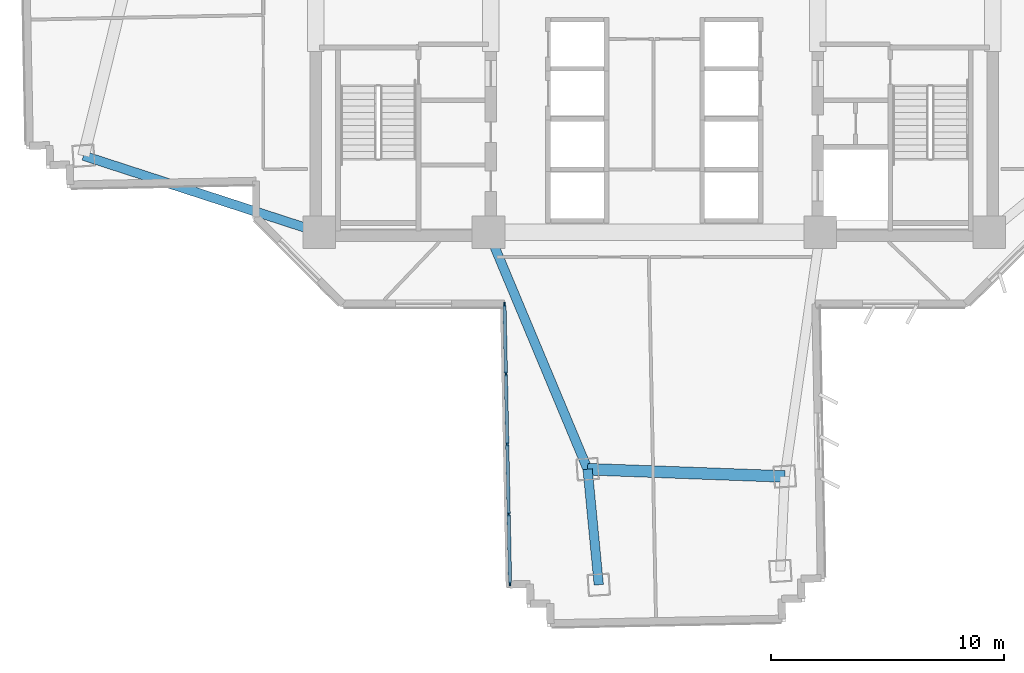
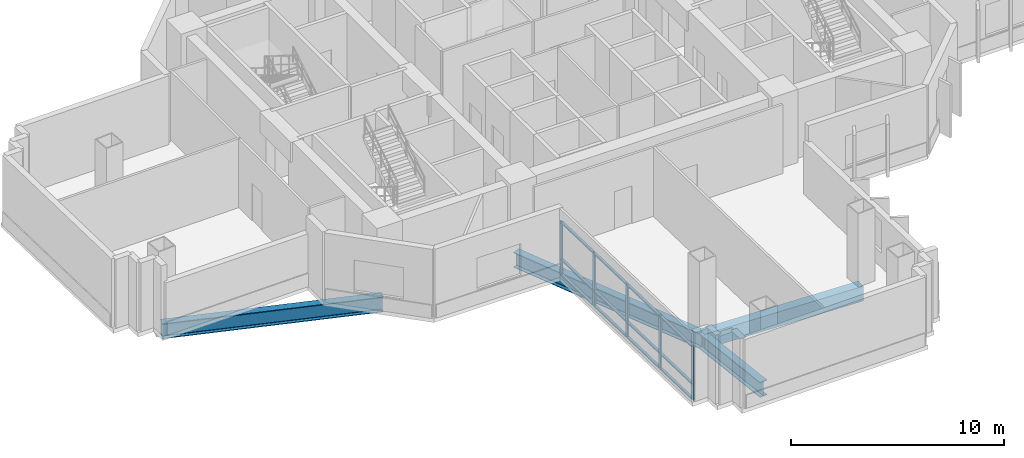
# One storey, part 2 of 15: 17 members, 4 beams, 1 element without a shape of its own.
"""IFC4 building model written with IfcOpenShell, lengths in metres."""

from ifc_helpers import new_model, si_unit, direction, frame, origin, origin_2d, place, context, subcontext, project, spatial, rectangle, i_section, extrude, source, transform, mapped, material, layer, layer_set, material_profile, profile_set, type_object, element, aggregate, save


model = new_model("IFC4")

# Units and contexts
model_context = context("Model", 3, precision=1e-05, world=origin(), true_north=direction((0.0, 1.0)))
body_context = subcontext(model_context, "Body", "Model", "MODEL_VIEW")
ifc_project = project(units=[si_unit("LENGTHUNIT", "METRE"), si_unit("AREAUNIT", "SQUARE_METRE"), si_unit("VOLUMEUNIT", "CUBIC_METRE"), si_unit("PLANEANGLEUNIT", "RADIAN"), si_unit("MASSUNIT", "GRAM", prefix="KILO")], contexts=[model_context])

# Site, building, storey
site_placement = place(None, origin())
site = spatial("IfcSite", under=ifc_project, at=site_placement, CompositionType="ELEMENT")
building_placement = place(site_placement, origin())
building = spatial("IfcBuilding", under=site, at=building_placement, Name="Zahravan Cultural Tower", CompositionType="ELEMENT")
storey_placement = place(building_placement, frame((0.0, 0.0, 50.10009765625)))
storey = spatial("IfcBuildingStorey", under=building, at=storey_placement, Name="L10", CompositionType="ELEMENT", Elevation=50.10009765625)

# Beams
ifc_material_1 = material(Name="Concrete C50/60", Category="concrete")
ifc_material_profile_1 = material_profile(ifc_material_1, rectangle(XDim=0.5, YDim=0.85009765625, at=origin_2d()), Name="RC500X850")
ifc_profile_set_1 = profile_set([ifc_material_profile_1], Name="Concrete C50/60")
beam_type_1 = type_object("IfcBeamType", Name="BM-SP-RC500X850", PredefinedType="SPANDREL", material=ifc_profile_set_1)
shared_shape_1 = source(origin(), body_context, "Body", "SweptSolid", [
    extrude(rectangle(XDim=0.5, YDim=0.85009765625, at=origin_2d()), origin(), (0.0, 0.0, 1.0), 8.4482421875),
])
beam_1_placement = place(storey_placement, frame((33.142578125, 7.653564453125, -0.675048828125), z_axis=(0.999318826256, -0.036903705643, 0.0), x_axis=(0.036903705643, 0.999318826256, 0.0)))
element("IfcBeam", 1, at=beam_1_placement, inside=storey, type_object=beam_type_1, Name="L10 Beam SP-L10-19", PredefinedType="SPANDREL", context=body_context, shape_type="MappedRepresentation", body=[
    mapped(shared_shape_1, transform((0.0, 0.0, 0.0), x_axis=(1.0, 0.0, 0.0), y_axis=(0.0, 1.0, 0.0), z_axis=(0.0, 0.0, 1.0), scale=1.0)),
])
ifc_material_2 = material(Name="Steel ASTM A992 Grade 50", Category="steel")
ifc_material_profile_2 = material_profile(ifc_material_2, i_section(OverallWidth=0.39990234375, OverallDepth=0.862060546875, WebThickness=0.019775390625, FlangeThickness=0.032470703125, FilletRadius=0.02001953125, at=origin_2d()), Name="W33X221")
ifc_profile_set_2 = profile_set([ifc_material_profile_2], Name="Steel ASTM A992 Grade 50")
beam_type_2 = type_object("IfcBeamType", Name="BM-G-W33X221", PredefinedType="BEAM", material=ifc_profile_set_2)
shared_shape_2 = source(origin(), body_context, "Body", "SweptSolid", [
    extrude(i_section(OverallWidth=0.39990234375, OverallDepth=0.862060546875, WebThickness=0.019775390625, FlangeThickness=0.032470703125, FilletRadius=0.02001953125, at=origin_2d()), origin(), (0.0, 0.0, 1.0), 10.615966796875),
])
beam_2_placement = place(storey_placement, frame((21.64990234375, 17.800048828125, -0.68115234375), z_axis=(-0.951063640083, 0.30899506875, 0.0), x_axis=(-0.30899506875, -0.951063640083, 0.0)))
element("IfcBeam", 2, at=beam_2_placement, inside=storey, type_object=beam_type_2, Name="L10 Beam BG-L10-07", PredefinedType="BEAM", context=body_context, shape_type="MappedRepresentation", body=[
    mapped(shared_shape_2, transform((0.0, 0.0, 0.0), x_axis=(1.0, 0.0, 0.0), y_axis=(0.0, 1.0, 0.0), z_axis=(0.0, 0.0, 1.0), scale=1.0)),
])
shared_shape_3 = source(origin(), body_context, "Body", "SweptSolid", [
    extrude(i_section(OverallWidth=0.39990234375, OverallDepth=0.862060546875, WebThickness=0.019775390625, FlangeThickness=0.032470703125, FilletRadius=0.02001953125, at=origin_2d()), origin(), (0.0, 0.0, 1.0), 10.997802734375),
])
beam_3_placement = place(storey_placement, frame((28.89990234375, 17.800048828125, -0.68115234375), z_axis=(0.385775211449, -0.922592806297, 0.0), x_axis=(0.922592806297, 0.385775211449, 0.0)))
element("IfcBeam", 3, at=beam_3_placement, inside=storey, type_object=beam_type_2, Name="L10 Beam BG-L10-08", PredefinedType="BEAM", context=body_context, shape_type="MappedRepresentation", body=[
    mapped(shared_shape_3, transform((0.0, 0.0, 0.0), x_axis=(1.0, 0.0, 0.0), y_axis=(0.0, 1.0, 0.0), z_axis=(0.0, 0.0, 1.0), scale=1.0)),
])
shared_shape_4 = source(origin(), body_context, "Body", "SweptSolid", [
    extrude(i_section(OverallWidth=0.39990234375, OverallDepth=0.862060546875, WebThickness=0.019775390625, FlangeThickness=0.032470703125, FilletRadius=0.02001953125, at=origin_2d()), origin(), (0.0, 0.0, 1.0), 4.973876953125),
])
beam_4_placement = place(storey_placement, frame((33.142578125, 7.653564453125, -0.68115234375), z_axis=(0.096154779131, -0.995366394073, 0.0), x_axis=(0.995366394073, 0.096154779131, 0.0)))
element("IfcBeam", 4, at=beam_4_placement, inside=storey, type_object=beam_type_2, Name="L10 Beam BG-L10-17", PredefinedType="BEAM", context=body_context, shape_type="MappedRepresentation", body=[
    mapped(shared_shape_4, transform((0.0, 0.0, 0.0), x_axis=(1.0, 0.0, 0.0), y_axis=(0.0, 1.0, 0.0), z_axis=(0.0, 0.0, 1.0), scale=1.0)),
])

# Curtain wall, members
ifc_material_3 = material(Name="Anodised bronze-aluminium mullion", Category="aluminium")
ifc_layer = layer(ifc_material_3, 0.179931640625)
ifc_layer_set = layer_set([ifc_layer], Name="Anodised bronze-aluminium mullion")
curtain_wall_type = type_object("IfcCurtainWallType", Name="CW-SYS-3", PredefinedType="USERDEFINED", material=ifc_layer_set)
curtain_wall_placement = place(storey_placement, origin())
curtain_wall = element("IfcCurtainWall", 5, at=curtain_wall_placement, inside=storey, type_object=curtain_wall_type, Name="L10 Recessed Curtain Wall CW-3.1", ObjectType="RECESSED GLAZING", PredefinedType="USERDEFINED")
ifc_material_profile_3 = material_profile(ifc_material_3, rectangle(XDim=0.070068359375, YDim=0.179931640625, at=origin_2d()), Name="AL-M70X180")
ifc_profile_set_3 = profile_set([ifc_material_profile_3], Name="Anodised bronze-aluminium mullion")
member_type_1 = type_object("IfcMemberType", Name="CWM-CW-3", PredefinedType="MULLION", material=ifc_profile_set_3)
shared_shape_5 = source(origin(), body_context, "Body", "SweptSolid", [
    extrude(rectangle(XDim=0.070068359375, YDim=0.179931640625, at=origin_2d()), origin(), (0.0, 0.0, 1.0), 3.06982421875),
])
member_1_placement = place(storey_placement, frame((29.8212890625, 2.747314453125, 0.0), z_axis=(0.0, 0.0, 1.0), x_axis=(-0.999801973139, -0.019900113269, 0.0)))
member_1 = element("IfcMember", 6, at=member_1_placement, type_object=member_type_1, Name="CW-3 mullion 1", PredefinedType="MULLION", context=body_context, shape_type="MappedRepresentation", body=[
    mapped(shared_shape_5, transform((0.0, 0.0, 0.0), x_axis=(1.0, 0.0, 0.0), y_axis=(0.0, 1.0, 0.0), z_axis=(0.0, 0.0, 1.0), scale=1.0)),
])
member_2_placement = place(storey_placement, frame((29.76220703125, 5.71923828125, 0.0), z_axis=(0.0, 0.0, 1.0), x_axis=(-0.999801973139, -0.019900113269, 0.0)))
member_2 = element("IfcMember", 7, at=member_2_placement, type_object=member_type_1, Name="CW-3 mullion 2", PredefinedType="MULLION", context=body_context, shape_type="MappedRepresentation", body=[
    mapped(shared_shape_5, transform((0.0, 0.0, 0.0), x_axis=(1.0, 0.0, 0.0), y_axis=(0.0, 1.0, 0.0), z_axis=(0.0, 0.0, 1.0), scale=1.0)),
])
member_3_placement = place(storey_placement, frame((29.702392578125, 8.72607421875, 0.0), z_axis=(0.0, 0.0, 1.0), x_axis=(-0.999801973139, -0.019900113269, 0.0)))
member_3 = element("IfcMember", 8, at=member_3_placement, type_object=member_type_1, Name="CW-3 mullion 3", PredefinedType="MULLION", context=body_context, shape_type="MappedRepresentation", body=[
    mapped(shared_shape_5, transform((0.0, 0.0, 0.0), x_axis=(1.0, 0.0, 0.0), y_axis=(0.0, 1.0, 0.0), z_axis=(0.0, 0.0, 1.0), scale=1.0)),
])
member_4_placement = place(storey_placement, frame((29.642333984375, 11.733154296875, 0.0), z_axis=(0.0, 0.0, 1.0), x_axis=(-0.999801973139, -0.019900113269, 0.0)))
member_4 = element("IfcMember", 9, at=member_4_placement, type_object=member_type_1, Name="CW-3 mullion 4", PredefinedType="MULLION", context=body_context, shape_type="MappedRepresentation", body=[
    mapped(shared_shape_5, transform((0.0, 0.0, 0.0), x_axis=(1.0, 0.0, 0.0), y_axis=(0.0, 1.0, 0.0), z_axis=(0.0, 0.0, 1.0), scale=1.0)),
])
member_5_placement = place(storey_placement, frame((29.583251953125, 14.705078125, 0.0), z_axis=(0.0, 0.0, 1.0), x_axis=(-0.999801973139, -0.019900113269, 0.0)))
member_5 = element("IfcMember", 10, at=member_5_placement, type_object=member_type_1, Name="CW-3 mullion 5", PredefinedType="MULLION", context=body_context, shape_type="MappedRepresentation", body=[
    mapped(shared_shape_5, transform((0.0, 0.0, 0.0), x_axis=(1.0, 0.0, 0.0), y_axis=(0.0, 1.0, 0.0), z_axis=(0.0, 0.0, 1.0), scale=1.0)),
])
ifc_material_profile_4 = material_profile(ifc_material_3, rectangle(XDim=0.139892578125, YDim=0.070068359375, at=origin_2d()), Name="AL-T70X140")
ifc_profile_set_4 = profile_set([ifc_material_profile_4], Name="Anodised bronze-aluminium mullion")
member_type_2 = type_object("IfcMemberType", Name="CWT-CW-3", PredefinedType="USERDEFINED", material=ifc_profile_set_4)
shared_shape_6 = source(origin(), body_context, "Body", "SweptSolid", [
    extrude(rectangle(XDim=0.139892578125, YDim=0.070068359375, at=origin_2d()), origin(), (0.0, 0.0, 1.0), 2.902587890625),
])
member_6_placement = place(storey_placement, frame((29.820556640625, 2.7822265625, 0.034912109375), z_axis=(-0.019849709946, 0.999802975098, 0.0), x_axis=(-0.999802975098, -0.019849709946, 0.0)))
member_6 = element("IfcMember", 11, at=member_6_placement, type_object=member_type_2, Name="CW-3 transom 1.1", ObjectType="TRANSOM", PredefinedType="USERDEFINED", context=body_context, shape_type="MappedRepresentation", body=[
    mapped(shared_shape_6, transform((0.0, 0.0, 0.0), x_axis=(1.0, 0.0, 0.0), y_axis=(0.0, 1.0, 0.0), z_axis=(0.0, 0.0, 1.0), scale=1.0)),
])
member_7_placement = place(storey_placement, frame((29.820556640625, 2.7822265625, 0.89990234375), z_axis=(-0.019849709946, 0.999802975098, 0.0), x_axis=(-0.999802975098, -0.019849709946, 0.0)))
member_7 = element("IfcMember", 12, at=member_7_placement, type_object=member_type_2, Name="CW-3 transom 1.2", ObjectType="TRANSOM", PredefinedType="USERDEFINED", context=body_context, shape_type="MappedRepresentation", body=[
    mapped(shared_shape_6, transform((0.0, 0.0, 0.0), x_axis=(1.0, 0.0, 0.0), y_axis=(0.0, 1.0, 0.0), z_axis=(0.0, 0.0, 1.0), scale=1.0)),
])
member_8_placement = place(storey_placement, frame((29.820556640625, 2.7822265625, 3.034912109375), z_axis=(-0.019849709946, 0.999802975098, 0.0), x_axis=(-0.999802975098, -0.019849709946, 0.0)))
member_8 = element("IfcMember", 13, at=member_8_placement, type_object=member_type_2, Name="CW-3 transom 1.3", ObjectType="TRANSOM", PredefinedType="USERDEFINED", context=body_context, shape_type="MappedRepresentation", body=[
    mapped(shared_shape_6, transform((0.0, 0.0, 0.0), x_axis=(1.0, 0.0, 0.0), y_axis=(0.0, 1.0, 0.0), z_axis=(0.0, 0.0, 1.0), scale=1.0)),
])
shared_shape_7 = source(origin(), body_context, "Body", "SweptSolid", [
    extrude(rectangle(XDim=0.139892578125, YDim=0.070068359375, at=origin_2d()), origin(), (0.0, 0.0, 1.0), 2.9375),
])
member_9_placement = place(storey_placement, frame((29.761474609375, 5.754150390625, 0.034912109375), z_axis=(-0.019946155724, 0.999801055646, 0.0), x_axis=(-0.999801055646, -0.019946155724, 0.0)))
member_9 = element("IfcMember", 14, at=member_9_placement, type_object=member_type_2, Name="CW-3 transom 2.1", ObjectType="TRANSOM", PredefinedType="USERDEFINED", context=body_context, shape_type="MappedRepresentation", body=[
    mapped(shared_shape_7, transform((0.0, 0.0, 0.0), x_axis=(1.0, 0.0, 0.0), y_axis=(0.0, 1.0, 0.0), z_axis=(0.0, 0.0, 1.0), scale=1.0)),
])
member_10_placement = place(storey_placement, frame((29.761474609375, 5.754150390625, 0.89990234375), z_axis=(-0.019946155724, 0.999801055646, 0.0), x_axis=(-0.999801055646, -0.019946155724, 0.0)))
member_10 = element("IfcMember", 15, at=member_10_placement, type_object=member_type_2, Name="CW-3 transom 2.2", ObjectType="TRANSOM", PredefinedType="USERDEFINED", context=body_context, shape_type="MappedRepresentation", body=[
    mapped(shared_shape_7, transform((0.0, 0.0, 0.0), x_axis=(1.0, 0.0, 0.0), y_axis=(0.0, 1.0, 0.0), z_axis=(0.0, 0.0, 1.0), scale=1.0)),
])
member_11_placement = place(storey_placement, frame((29.761474609375, 5.754150390625, 3.034912109375), z_axis=(-0.019946155724, 0.999801055646, 0.0), x_axis=(-0.999801055646, -0.019946155724, 0.0)))
member_11 = element("IfcMember", 16, at=member_11_placement, type_object=member_type_2, Name="CW-3 transom 2.3", ObjectType="TRANSOM", PredefinedType="USERDEFINED", context=body_context, shape_type="MappedRepresentation", body=[
    mapped(shared_shape_7, transform((0.0, 0.0, 0.0), x_axis=(1.0, 0.0, 0.0), y_axis=(0.0, 1.0, 0.0), z_axis=(0.0, 0.0, 1.0), scale=1.0)),
])
shared_shape_8 = source(origin(), body_context, "Body", "SweptSolid", [
    extrude(rectangle(XDim=0.139892578125, YDim=0.070068359375, at=origin_2d()), origin(), (0.0, 0.0, 1.0), 2.937255859375),
])
member_12_placement = place(storey_placement, frame((29.70166015625, 8.76123046875, 0.034912109375), z_axis=(-0.019947813236, 0.999801022578, 0.0), x_axis=(-0.999801022578, -0.019947813236, 0.0)))
member_12 = element("IfcMember", 17, at=member_12_placement, type_object=member_type_2, Name="CW-3 transom 3.1", ObjectType="TRANSOM", PredefinedType="USERDEFINED", context=body_context, shape_type="MappedRepresentation", body=[
    mapped(shared_shape_8, transform((0.0, 0.0, 0.0), x_axis=(1.0, 0.0, 0.0), y_axis=(0.0, 1.0, 0.0), z_axis=(0.0, 0.0, 1.0), scale=1.0)),
])
member_13_placement = place(storey_placement, frame((29.70166015625, 8.76123046875, 0.89990234375), z_axis=(-0.019947813236, 0.999801022578, 0.0), x_axis=(-0.999801022578, -0.019947813236, 0.0)))
member_13 = element("IfcMember", 18, at=member_13_placement, type_object=member_type_2, Name="CW-3 transom 3.2", ObjectType="TRANSOM", PredefinedType="USERDEFINED", context=body_context, shape_type="MappedRepresentation", body=[
    mapped(shared_shape_8, transform((0.0, 0.0, 0.0), x_axis=(1.0, 0.0, 0.0), y_axis=(0.0, 1.0, 0.0), z_axis=(0.0, 0.0, 1.0), scale=1.0)),
])
member_14_placement = place(storey_placement, frame((29.70166015625, 8.76123046875, 3.034912109375), z_axis=(-0.019947813236, 0.999801022578, 0.0), x_axis=(-0.999801022578, -0.019947813236, 0.0)))
member_14 = element("IfcMember", 19, at=member_14_placement, type_object=member_type_2, Name="CW-3 transom 3.3", ObjectType="TRANSOM", PredefinedType="USERDEFINED", context=body_context, shape_type="MappedRepresentation", body=[
    mapped(shared_shape_8, transform((0.0, 0.0, 0.0), x_axis=(1.0, 0.0, 0.0), y_axis=(0.0, 1.0, 0.0), z_axis=(0.0, 0.0, 1.0), scale=1.0)),
])
shared_shape_9 = source(origin(), body_context, "Body", "SweptSolid", [
    extrude(rectangle(XDim=0.139892578125, YDim=0.070068359375, at=origin_2d()), origin(), (0.0, 0.0, 1.0), 2.90234375),
])
member_15_placement = place(storey_placement, frame((29.641845703125, 11.76806640625, 0.034912109375), z_axis=(-0.01993546195, 0.999801268931, 0.0), x_axis=(-0.999801268931, -0.01993546195, 0.0)))
member_15 = element("IfcMember", 20, at=member_15_placement, type_object=member_type_2, Name="CW-3 transom 4.1", ObjectType="TRANSOM", PredefinedType="USERDEFINED", context=body_context, shape_type="MappedRepresentation", body=[
    mapped(shared_shape_9, transform((0.0, 0.0, 0.0), x_axis=(1.0, 0.0, 0.0), y_axis=(0.0, 1.0, 0.0), z_axis=(0.0, 0.0, 1.0), scale=1.0)),
])
member_16_placement = place(storey_placement, frame((29.641845703125, 11.76806640625, 0.89990234375), z_axis=(-0.01993546195, 0.999801268931, 0.0), x_axis=(-0.999801268931, -0.01993546195, 0.0)))
member_16 = element("IfcMember", 21, at=member_16_placement, type_object=member_type_2, Name="CW-3 transom 4.2", ObjectType="TRANSOM", PredefinedType="USERDEFINED", context=body_context, shape_type="MappedRepresentation", body=[
    mapped(shared_shape_9, transform((0.0, 0.0, 0.0), x_axis=(1.0, 0.0, 0.0), y_axis=(0.0, 1.0, 0.0), z_axis=(0.0, 0.0, 1.0), scale=1.0)),
])
member_17_placement = place(storey_placement, frame((29.641845703125, 11.76806640625, 3.034912109375), z_axis=(-0.01993546195, 0.999801268931, 0.0), x_axis=(-0.999801268931, -0.01993546195, 0.0)))
member_17 = element("IfcMember", 22, at=member_17_placement, type_object=member_type_2, Name="CW-3 transom 4.3", ObjectType="TRANSOM", PredefinedType="USERDEFINED", context=body_context, shape_type="MappedRepresentation", body=[
    mapped(shared_shape_9, transform((0.0, 0.0, 0.0), x_axis=(1.0, 0.0, 0.0), y_axis=(0.0, 1.0, 0.0), z_axis=(0.0, 0.0, 1.0), scale=1.0)),
])
aggregate(curtain_wall, [member_1, member_2, member_3, member_4, member_5, member_6, member_7, member_8, member_9, member_10, member_11, member_12, member_13, member_14, member_15, member_16, member_17])

save(model, "model.ifc")
